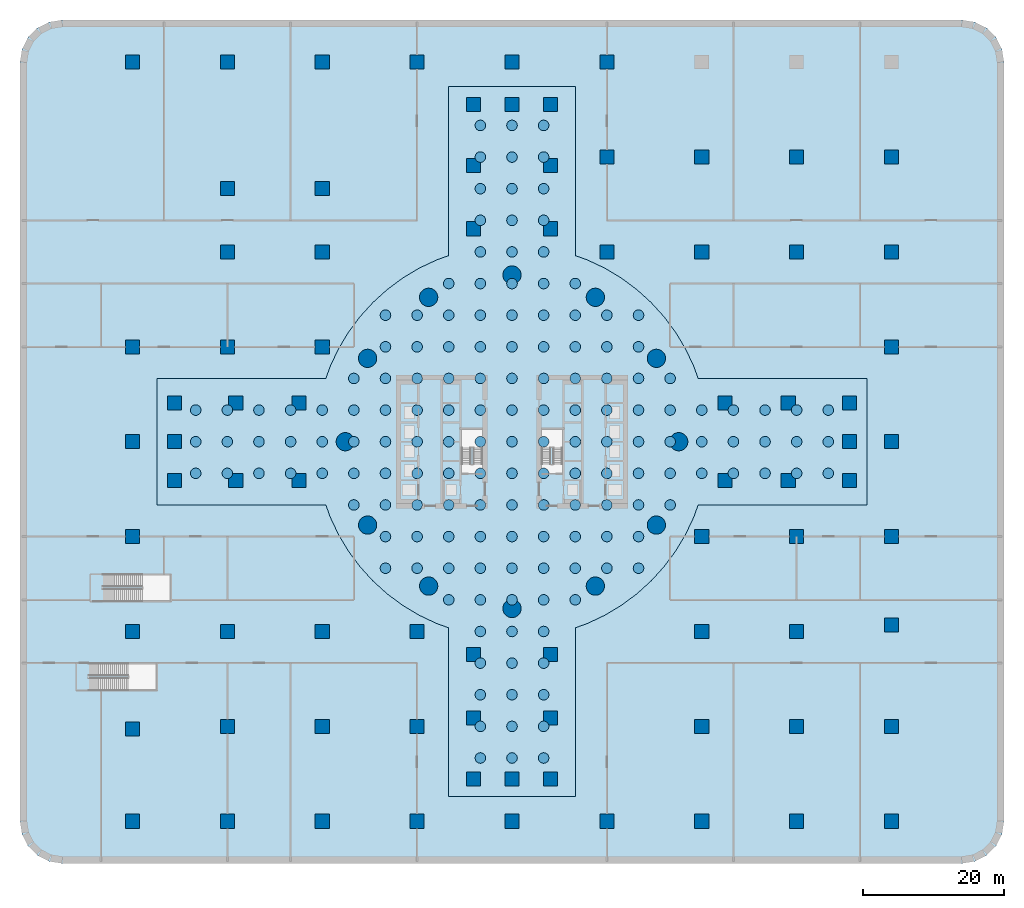
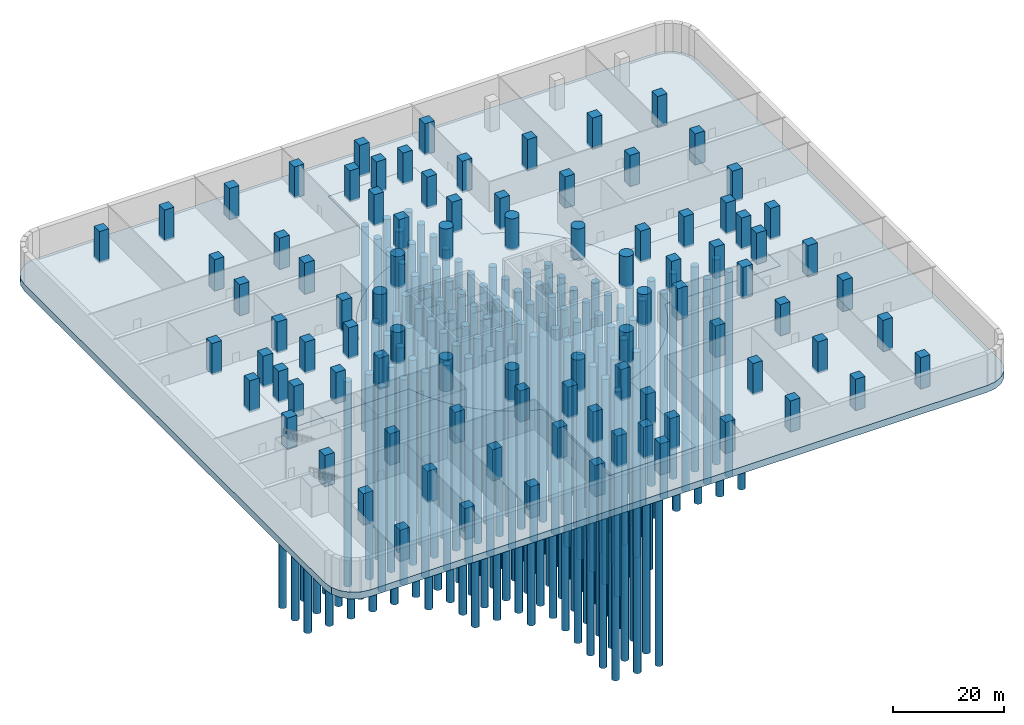
# One storey, part 1 of 13: 161 piles, 91 columns, 2 footings.
"""IFC4 building model written with IfcOpenShell, lengths in metres."""

from ifc_helpers import new_model, si_unit, direction, frame, origin, origin_2d, place, context, subcontext, project, spatial, polyline, rectangle, circle, outline, extrude, material, layer, layer_set, material_profile, profile_set, type_object, element, save


model = new_model("IFC4")

# Units and contexts
model_context = context("Model", 3, precision=1e-05, world=origin(), true_north=direction((0.0, 1.0)))
body_context = subcontext(model_context, "Body", "Model", "MODEL_VIEW")
ifc_project = project(units=[si_unit("LENGTHUNIT", "METRE"), si_unit("AREAUNIT", "SQUARE_METRE"), si_unit("VOLUMEUNIT", "CUBIC_METRE"), si_unit("PLANEANGLEUNIT", "RADIAN"), si_unit("MASSUNIT", "GRAM", prefix="KILO")], contexts=[model_context])

# Site, building, storey
site_placement = place(None, origin())
site = spatial("IfcSite", under=ifc_project, at=site_placement, CompositionType="ELEMENT")
building_placement = place(site_placement, origin())
building = spatial("IfcBuilding", under=site, at=building_placement, Name="Tamarind Cross Interchange Tower", CompositionType="ELEMENT")
storey_placement = place(building_placement, frame((0.0, 0.0, -21.0)))
storey = spatial("IfcBuildingStorey", under=building, at=storey_placement, Name="B3", CompositionType="ELEMENT", Elevation=-21.0)

# Piles
ifc_material_1 = material(Name="Concrete C45", Category="concrete")
ifc_material_profile_1 = material_profile(ifc_material_1, circle(Radius=0.75, at=origin_2d()), Name="RC D1500")
ifc_profile_set_1 = profile_set([ifc_material_profile_1], Name="Concrete C45")
pile_type = type_object("IfcPileType", Name="Bored pile D1500 Concrete C45", PredefinedType="BORED", material=ifc_profile_set_1)
for number, where, z_axis, x_axis, name in (
    (1, (-45.0, -4.5, -4.699951171875), (0.0, 0.0, -1.0), (1.0, 0.0, 0.0), "Pile 1"),
    (2, (-45.0, 0.0, -4.699951171875), (0.0, 0.0, -1.0), (1.0, 0.0, 0.0), "Pile 2"),
    (3, (-45.0, 4.5, -4.699951171875), (0.0, 0.0, -1.0), (1.0, 0.0, 0.0), "Pile 3"),
    (4, (-40.5, -4.5, -4.699951171875), (0.0, 0.0, -1.0), (1.0, 0.0, 0.0), "Pile 4"),
    (5, (-40.5, 0.0, -4.699951171875), (0.0, 0.0, -1.0), (1.0, 0.0, 0.0), "Pile 5"),
    (6, (-40.5, 4.5, -4.699951171875), (0.0, 0.0, -1.0), (1.0, 0.0, 0.0), "Pile 6"),
    (7, (-36.0, -4.5, -4.699951171875), (0.0, 0.0, -1.0), (1.0, 0.0, 0.0), "Pile 7"),
    (8, (-36.0, 0.0, -4.699951171875), (0.0, 0.0, -1.0), (1.0, 0.0, 0.0), "Pile 8"),
    (9, (-36.0, 4.5, -4.699951171875), (0.0, 0.0, -1.0), (1.0, 0.0, 0.0), "Pile 9"),
    (10, (-31.5, -4.5, -4.699951171875), (0.0, 0.0, -1.0), (1.0, 0.0, 0.0), "Pile 10"),
    (11, (-31.5, 0.0, -4.699951171875), (0.0, 0.0, -1.0), (1.0, 0.0, 0.0), "Pile 11"),
    (12, (-31.5, 4.5, -4.699951171875), (0.0, 0.0, -1.0), (1.0, 0.0, 0.0), "Pile 12"),
    (13, (-27.0, -4.5, -4.699951171875), (0.0, 0.0, -1.0), (1.0, 0.0, 0.0), "Pile 13"),
    (14, (-27.0, 0.0, -4.699951171875), (0.0, 0.0, -1.0), (1.0, 0.0, 0.0), "Pile 14"),
    (15, (-27.0, 4.5, -4.699951171875), (0.0, 0.0, -1.0), (1.0, 0.0, 0.0), "Pile 15"),
    (16, (-22.5, -9.0, -4.699951171875), (0.0, 0.0, -1.0), (1.0, 0.0, 0.0), "Pile 16"),
    (17, (-22.5, -4.5, -4.699951171875), (0.0, 0.0, -1.0), (1.0, 0.0, 0.0), "Pile 17"),
    (18, (-22.5, 0.0, -4.699951171875), (0.0, 0.0, -1.0), (1.0, 0.0, 0.0), "Pile 18"),
    (19, (-22.5, 4.5, -4.699951171875), (0.0, 0.0, -1.0), (1.0, 0.0, 0.0), "Pile 19"),
    (20, (-22.5, 9.0, -4.699951171875), (0.0, 0.0, -1.0), (1.0, 0.0, 0.0), "Pile 20"),
    (21, (-18.0, -18.0, -4.699951171875), (0.0, 0.0, -1.0), (1.0, 0.0, 0.0), "Pile 21"),
    (22, (-18.0, -13.5, -4.699951171875), (0.0, 0.0, -1.0), (1.0, 0.0, 0.0), "Pile 22"),
    (23, (-18.0, -9.0, -4.699951171875), (0.0, 0.0, -1.0), (1.0, 0.0, 0.0), "Pile 23"),
    (24, (-18.0, -4.5, -4.699951171875), (0.0, 0.0, -1.0), (1.0, 0.0, 0.0), "Pile 24"),
    (25, (-18.0, 0.0, -4.699951171875), (0.0, 0.0, -1.0), (1.0, 0.0, 0.0), "Pile 25"),
    (26, (-18.0, 4.5, -4.699951171875), (0.0, 0.0, -1.0), (1.0, 0.0, 0.0), "Pile 26"),
    (27, (-18.0, 9.0, -4.699951171875), (0.0, 0.0, -1.0), (1.0, 0.0, 0.0), "Pile 27"),
    (28, (-18.0, 13.5, -4.699951171875), (0.0, 0.0, -1.0), (1.0, 0.0, 0.0), "Pile 28"),
    (29, (-18.0, 18.0, -4.699951171875), (0.0, 0.0, -1.0), (1.0, 0.0, 0.0), "Pile 29"),
    (30, (-13.5, -18.0, -4.699951171875), (0.0, 0.0, -1.0), (1.0, 0.0, 0.0), "Pile 30"),
    (31, (-13.5, -13.5, -4.699951171875), (0.0, 0.0, -1.0), (1.0, 0.0, 0.0), "Pile 31"),
    (32, (-13.5, -9.0, -4.699951171875), (0.0, 0.0, -1.0), (1.0, 0.0, 0.0), "Pile 32"),
    (33, (-13.5, -4.5, -4.699951171875), (0.0, 0.0, -1.0), (1.0, 0.0, 0.0), "Pile 33"),
    (34, (-13.5, 0.0, -4.699951171875), (0.0, 0.0, -1.0), (1.0, 0.0, 0.0), "Pile 34"),
    (35, (-13.5, 4.5, -4.699951171875), (0.0, 0.0, -1.0), (1.0, 0.0, 0.0), "Pile 35"),
    (36, (-13.5, 9.0, -4.699951171875), (0.0, 0.0, -1.0), (1.0, 0.0, 0.0), "Pile 36"),
    (37, (-13.5, 13.5, -4.699951171875), (0.0, 0.0, -1.0), (1.0, 0.0, 0.0), "Pile 37"),
    (38, (-13.5, 18.0, -4.699951171875), (0.0, 0.0, -1.0), (1.0, 0.0, 0.0), "Pile 38"),
    (39, (-9.0, -22.5, -4.699951171875), (0.0, 0.0, -1.0), (1.0, 0.0, 0.0), "Pile 39"),
    (40, (-9.0, -18.0, -4.699951171875), (0.0, 0.0, -1.0), (1.0, 0.0, 0.0), "Pile 40"),
    (41, (-9.0, -13.5, -4.699951171875), (0.0, 0.0, -1.0), (1.0, 0.0, 0.0), "Pile 41"),
    (42, (-9.0, -9.0, -4.699951171875), (0.0, 0.0, -1.0), (1.0, 0.0, 0.0), "Pile 42"),
    (43, (-9.0, -4.5, -4.699951171875), (0.0, 0.0, -1.0), (1.0, 0.0, 0.0), "Pile 43"),
    (44, (-9.0, 0.0, -4.699951171875), (0.0, 0.0, -1.0), (1.0, 0.0, 0.0), "Pile 44"),
    (45, (-9.0, 4.5, -4.699951171875), (0.0, 0.0, -1.0), (1.0, 0.0, 0.0), "Pile 45"),
    (46, (-9.0, 9.0, -4.699951171875), (0.0, 0.0, -1.0), (1.0, 0.0, 0.0), "Pile 46"),
    (47, (-9.0, 13.5, -4.699951171875), (0.0, 0.0, -1.0), (1.0, 0.0, 0.0), "Pile 47"),
    (48, (-9.0, 18.0, -4.699951171875), (0.0, 0.0, -1.0), (1.0, 0.0, 0.0), "Pile 48"),
    (49, (-9.0, 22.5, -4.699951171875), (0.0, 0.0, -1.0), (1.0, 0.0, 0.0), "Pile 49"),
    (50, (-4.5, -45.0, -4.699951171875), (0.0, 0.0, -1.0), (1.0, 0.0, 0.0), "Pile 50"),
    (51, (-4.5, -40.5, -4.699951171875), (0.0, 0.0, -1.0), (1.0, 0.0, 0.0), "Pile 51"),
    (52, (-4.5, -36.0, -4.699951171875), (0.0, 0.0, -1.0), (1.0, 0.0, 0.0), "Pile 52"),
    (53, (-4.5, -31.5, -4.699951171875), (0.0, 0.0, -1.0), (1.0, 0.0, 0.0), "Pile 53"),
    (54, (-4.5, -27.0, -4.699951171875), (0.0, 0.0, -1.0), (1.0, 0.0, 0.0), "Pile 54"),
    (55, (-4.5, -22.5, -4.699951171875), (0.0, 0.0, -1.0), (1.0, 0.0, 0.0), "Pile 55"),
    (56, (-4.5, -18.0, -4.699951171875), (0.0, 0.0, -1.0), (1.0, 0.0, 0.0), "Pile 56"),
    (57, (-4.5, -13.5, -4.699951171875), (0.0, 0.0, -1.0), (1.0, 0.0, 0.0), "Pile 57"),
    (58, (-4.5, -9.0, -4.699951171875), (0.0, 0.0, -1.0), (1.0, 0.0, 0.0), "Pile 58"),
    (59, (-4.5, -4.5, -4.699951171875), (0.0, 0.0, -1.0), (1.0, 0.0, 0.0), "Pile 59"),
    (60, (-4.5, 0.0, -4.699951171875), (0.0, 0.0, -1.0), (1.0, 0.0, 0.0), "Pile 60"),
    (61, (-4.5, 4.5, -4.699951171875), (0.0, 0.0, -1.0), (1.0, 0.0, 0.0), "Pile 61"),
    (62, (-4.5, 9.0, -4.699951171875), (0.0, 0.0, -1.0), (1.0, 0.0, 0.0), "Pile 62"),
    (63, (-4.5, 13.5, -4.699951171875), (0.0, 0.0, -1.0), (1.0, 0.0, 0.0), "Pile 63"),
    (64, (-4.5, 18.0, -4.699951171875), (0.0, 0.0, -1.0), (1.0, 0.0, 0.0), "Pile 64"),
    (65, (-4.5, 22.5, -4.699951171875), (0.0, 0.0, -1.0), (1.0, 0.0, 0.0), "Pile 65"),
    (66, (-4.5, 27.0, -4.699951171875), (0.0, 0.0, -1.0), (1.0, 0.0, 0.0), "Pile 66"),
    (67, (-4.5, 31.5, -4.699951171875), (0.0, 0.0, -1.0), (1.0, 0.0, 0.0), "Pile 67"),
    (68, (-4.5, 36.0, -4.699951171875), (0.0, 0.0, -1.0), (1.0, 0.0, 0.0), "Pile 68"),
    (69, (-4.5, 40.5, -4.699951171875), (0.0, 0.0, -1.0), (1.0, 0.0, 0.0), "Pile 69"),
    (70, (-4.5, 45.0, -4.699951171875), (0.0, 0.0, -1.0), (1.0, 0.0, 0.0), "Pile 70"),
    (71, (0.0, -45.0, -4.699951171875), (0.0, 0.0, -1.0), (1.0, 0.0, 0.0), "Pile 71"),
    (72, (0.0, -40.5, -4.699951171875), (0.0, 0.0, -1.0), (1.0, 0.0, 0.0), "Pile 72"),
    (73, (0.0, -36.0, -4.699951171875), (0.0, 0.0, -1.0), (1.0, 0.0, 0.0), "Pile 73"),
    (74, (0.0, -31.5, -4.699951171875), (0.0, 0.0, -1.0), (1.0, 0.0, 0.0), "Pile 74"),
    (75, (0.0, -27.0, -4.699951171875), (0.0, 0.0, -1.0), (1.0, 0.0, 0.0), "Pile 75"),
    (76, (0.0, -22.5, -4.699951171875), (0.0, 0.0, -1.0), (1.0, 0.0, 0.0), "Pile 76"),
    (77, (0.0, -18.0, -4.699951171875), (0.0, 0.0, -1.0), (1.0, 0.0, 0.0), "Pile 77"),
    (78, (0.0, -13.5, -4.699951171875), (0.0, 0.0, -1.0), (1.0, 0.0, 0.0), "Pile 78"),
    (79, (0.0, -9.0, -4.699951171875), (0.0, 0.0, -1.0), (1.0, 0.0, 0.0), "Pile 79"),
    (80, (0.0, -4.5, -4.699951171875), (0.0, 0.0, -1.0), (1.0, 0.0, 0.0), "Pile 80"),
    (81, (0.0, 0.0, -4.699951171875), (0.0, 0.0, -1.0), (1.0, 0.0, 0.0), "Pile 81"),
    (82, (0.0, 4.5, -4.699951171875), (0.0, 0.0, -1.0), (1.0, 0.0, 0.0), "Pile 82"),
    (83, (0.0, 9.0, -4.699951171875), (0.0, 0.0, -1.0), (1.0, 0.0, 0.0), "Pile 83"),
    (84, (0.0, 13.5, -4.699951171875), (0.0, 0.0, -1.0), (1.0, 0.0, 0.0), "Pile 84"),
    (85, (0.0, 18.0, -4.699951171875), (0.0, 0.0, -1.0), (1.0, 0.0, 0.0), "Pile 85"),
    (86, (0.0, 22.5, -4.699951171875), (0.0, 0.0, -1.0), (1.0, 0.0, 0.0), "Pile 86"),
    (87, (0.0, 27.0, -4.699951171875), (0.0, 0.0, -1.0), (1.0, 0.0, 0.0), "Pile 87"),
    (88, (0.0, 31.5, -4.699951171875), (0.0, 0.0, -1.0), (1.0, 0.0, 0.0), "Pile 88"),
    (89, (0.0, 36.0, -4.699951171875), (0.0, 0.0, -1.0), (1.0, 0.0, 0.0), "Pile 89"),
    (90, (0.0, 40.5, -4.699951171875), (0.0, 0.0, -1.0), (1.0, 0.0, 0.0), "Pile 90"),
    (91, (0.0, 45.0, -4.699951171875), (0.0, 0.0, -1.0), (1.0, 0.0, 0.0), "Pile 91"),
    (92, (4.5, -45.0, -4.699951171875), (0.0, 0.0, -1.0), (1.0, 0.0, 0.0), "Pile 92"),
    (93, (4.5, -40.5, -4.699951171875), (0.0, 0.0, -1.0), (1.0, 0.0, 0.0), "Pile 93"),
    (94, (4.5, -36.0, -4.699951171875), (0.0, 0.0, -1.0), (1.0, 0.0, 0.0), "Pile 94"),
    (95, (4.5, -31.5, -4.699951171875), (0.0, 0.0, -1.0), (1.0, 0.0, 0.0), "Pile 95"),
    (96, (4.5, -27.0, -4.699951171875), (0.0, 0.0, -1.0), (1.0, 0.0, 0.0), "Pile 96"),
    (97, (4.5, -22.5, -4.699951171875), (0.0, 0.0, -1.0), (1.0, 0.0, 0.0), "Pile 97"),
    (98, (4.5, -18.0, -4.699951171875), (0.0, 0.0, -1.0), (1.0, 0.0, 0.0), "Pile 98"),
    (99, (4.5, -13.5, -4.699951171875), (0.0, 0.0, -1.0), (1.0, 0.0, 0.0), "Pile 99"),
    (100, (4.5, -9.0, -4.699951171875), (0.0, 0.0, -1.0), (1.0, 0.0, 0.0), "Pile 100"),
    (101, (4.5, -4.5, -4.699951171875), (0.0, 0.0, -1.0), (1.0, 0.0, 0.0), "Pile 101"),
    (102, (4.5, 0.0, -4.699951171875), (0.0, 0.0, -1.0), (1.0, 0.0, 0.0), "Pile 102"),
    (103, (4.5, 4.5, -4.699951171875), (0.0, 0.0, -1.0), (1.0, 0.0, 0.0), "Pile 103"),
    (104, (4.5, 9.0, -4.699951171875), (0.0, 0.0, -1.0), (1.0, 0.0, 0.0), "Pile 104"),
    (105, (4.5, 13.5, -4.699951171875), (0.0, 0.0, -1.0), (1.0, 0.0, 0.0), "Pile 105"),
    (106, (4.5, 18.0, -4.699951171875), (0.0, 0.0, -1.0), (1.0, 0.0, 0.0), "Pile 106"),
    (107, (4.5, 22.5, -4.699951171875), (0.0, 0.0, -1.0), (1.0, 0.0, 0.0), "Pile 107"),
    (108, (4.5, 27.0, -4.699951171875), (0.0, 0.0, -1.0), (1.0, 0.0, 0.0), "Pile 108"),
    (109, (4.5, 31.5, -4.699951171875), (0.0, 0.0, -1.0), (1.0, 0.0, 0.0), "Pile 109"),
    (110, (4.5, 36.0, -4.699951171875), (0.0, 0.0, -1.0), (1.0, 0.0, 0.0), "Pile 110"),
    (111, (4.5, 40.5, -4.699951171875), (0.0, 0.0, -1.0), (1.0, 0.0, 0.0), "Pile 111"),
    (112, (4.5, 45.0, -4.699951171875), (0.0, 0.0, -1.0), (1.0, 0.0, 0.0), "Pile 112"),
    (113, (9.0, -22.5, -4.699951171875), (0.0, 0.0, -1.0), (1.0, 0.0, 0.0), "Pile 113"),
    (114, (9.0, -18.0, -4.699951171875), (0.0, 0.0, -1.0), (1.0, 0.0, 0.0), "Pile 114"),
    (115, (9.0, -13.5, -4.699951171875), (0.0, 0.0, -1.0), (1.0, 0.0, 0.0), "Pile 115"),
    (116, (9.0, -9.0, -4.699951171875), (0.0, 0.0, -1.0), (1.0, 0.0, 0.0), "Pile 116"),
    (117, (9.0, -4.5, -4.699951171875), (0.0, 0.0, -1.0), (1.0, 0.0, 0.0), "Pile 117"),
    (118, (9.0, 0.0, -4.699951171875), (0.0, 0.0, -1.0), (1.0, 0.0, 0.0), "Pile 118"),
    (119, (9.0, 4.5, -4.699951171875), (0.0, 0.0, -1.0), (1.0, 0.0, 0.0), "Pile 119"),
    (120, (9.0, 9.0, -4.699951171875), (0.0, 0.0, -1.0), (1.0, 0.0, 0.0), "Pile 120"),
    (121, (9.0, 13.5, -4.699951171875), (0.0, 0.0, -1.0), (1.0, 0.0, 0.0), "Pile 121"),
    (122, (9.0, 18.0, -4.699951171875), (0.0, 0.0, -1.0), (1.0, 0.0, 0.0), "Pile 122"),
    (123, (9.0, 22.5, -4.699951171875), (0.0, 0.0, -1.0), (1.0, 0.0, 0.0), "Pile 123"),
    (124, (13.5, -18.0, -4.699951171875), (0.0, 0.0, -1.0), (1.0, 0.0, 0.0), "Pile 124"),
    (125, (13.5, -13.5, -4.699951171875), (0.0, 0.0, -1.0), (1.0, 0.0, 0.0), "Pile 125"),
    (126, (13.5, -9.0, -4.699951171875), (0.0, 0.0, -1.0), (1.0, 0.0, 0.0), "Pile 126"),
    (127, (13.5, -4.5, -4.699951171875), (0.0, 0.0, -1.0), (1.0, 0.0, 0.0), "Pile 127"),
    (128, (13.5, 0.0, -4.699951171875), (0.0, 0.0, -1.0), (1.0, 0.0, 0.0), "Pile 128"),
    (129, (13.5, 4.5, -4.699951171875), (0.0, 0.0, -1.0), (1.0, 0.0, 0.0), "Pile 129"),
    (130, (13.5, 9.0, -4.699951171875), (0.0, 0.0, -1.0), (1.0, 0.0, 0.0), "Pile 130"),
    (131, (13.5, 13.5, -4.699951171875), (0.0, 0.0, -1.0), (1.0, 0.0, 0.0), "Pile 131"),
    (132, (13.5, 18.0, -4.699951171875), (0.0, 0.0, -1.0), (1.0, 0.0, 0.0), "Pile 132"),
    (133, (18.0, -18.0, -4.699951171875), (0.0, 0.0, -1.0), (1.0, 0.0, 0.0), "Pile 133"),
    (134, (18.0, -13.5, -4.699951171875), (0.0, 0.0, -1.0), (1.0, 0.0, 0.0), "Pile 134"),
    (135, (18.0, -9.0, -4.699951171875), (0.0, 0.0, -1.0), (1.0, 0.0, 0.0), "Pile 135"),
    (136, (18.0, -4.5, -4.699951171875), (0.0, 0.0, -1.0), (1.0, 0.0, 0.0), "Pile 136"),
    (137, (18.0, 0.0, -4.699951171875), (0.0, 0.0, -1.0), (1.0, 0.0, 0.0), "Pile 137"),
    (138, (18.0, 4.5, -4.699951171875), (0.0, 0.0, -1.0), (1.0, 0.0, 0.0), "Pile 138"),
    (139, (18.0, 9.0, -4.699951171875), (0.0, 0.0, -1.0), (1.0, 0.0, 0.0), "Pile 139"),
    (140, (18.0, 13.5, -4.699951171875), (0.0, 0.0, -1.0), (1.0, 0.0, 0.0), "Pile 140"),
    (141, (18.0, 18.0, -4.699951171875), (0.0, 0.0, -1.0), (1.0, 0.0, 0.0), "Pile 141"),
    (142, (22.5, -9.0, -4.699951171875), (0.0, 0.0, -1.0), (1.0, 0.0, 0.0), "Pile 142"),
    (143, (22.5, -4.5, -4.699951171875), (0.0, 0.0, -1.0), (1.0, 0.0, 0.0), "Pile 143"),
    (144, (22.5, 0.0, -4.699951171875), (0.0, 0.0, -1.0), (1.0, 0.0, 0.0), "Pile 144"),
    (145, (22.5, 4.5, -4.699951171875), (0.0, 0.0, -1.0), (1.0, 0.0, 0.0), "Pile 145"),
    (146, (22.5, 9.0, -4.699951171875), (0.0, 0.0, -1.0), (1.0, 0.0, 0.0), "Pile 146"),
    (147, (27.0, -4.5, -4.699951171875), (0.0, 0.0, -1.0), (1.0, 0.0, 0.0), "Pile 147"),
    (148, (27.0, 0.0, -4.699951171875), (0.0, 0.0, -1.0), (1.0, 0.0, 0.0), "Pile 148"),
    (149, (27.0, 4.5, -4.699951171875), (0.0, 0.0, -1.0), (1.0, 0.0, 0.0), "Pile 149"),
    (150, (31.5, -4.5, -4.699951171875), (0.0, 0.0, -1.0), (1.0, 0.0, 0.0), "Pile 150"),
    (151, (31.5, 0.0, -4.699951171875), (0.0, 0.0, -1.0), (1.0, 0.0, 0.0), "Pile 151"),
    (152, (31.5, 4.5, -4.699951171875), (0.0, 0.0, -1.0), (1.0, 0.0, 0.0), "Pile 152"),
    (153, (36.0, -4.5, -4.699951171875), (0.0, 0.0, -1.0), (1.0, 0.0, 0.0), "Pile 153"),
    (154, (36.0, 0.0, -4.699951171875), (0.0, 0.0, -1.0), (1.0, 0.0, 0.0), "Pile 154"),
    (155, (36.0, 4.5, -4.699951171875), (0.0, 0.0, -1.0), (1.0, 0.0, 0.0), "Pile 155"),
    (156, (40.5, -4.5, -4.699951171875), (0.0, 0.0, -1.0), (1.0, 0.0, 0.0), "Pile 156"),
    (157, (40.5, 0.0, -4.699951171875), (0.0, 0.0, -1.0), (1.0, 0.0, 0.0), "Pile 157"),
    (158, (40.5, 4.5, -4.699951171875), (0.0, 0.0, -1.0), (1.0, 0.0, 0.0), "Pile 158"),
    (159, (45.0, -4.5, -4.699951171875), (0.0, 0.0, -1.0), (1.0, 0.0, 0.0), "Pile 159"),
    (160, (45.0, 0.0, -4.699951171875), (0.0, 0.0, -1.0), (1.0, 0.0, 0.0), "Pile 160"),
    (161, (45.0, 4.5, -4.699951171875), (0.0, 0.0, -1.0), (1.0, 0.0, 0.0), "Pile 161"),
):
    element("IfcPile", number, at=place(storey_placement, frame(where, z_axis=z_axis, x_axis=x_axis)), inside=storey, type_object=pile_type, Name=name, PredefinedType="BORED", context=body_context, shape_type="SweptSolid", body=[
        extrude(circle(Radius=0.75, at=origin_2d()), origin(), (0.0, 0.0, 1.0), 45.0),
    ])

# Footings
ifc_material_2 = material(Name="Concrete C40", Category="concrete")
ifc_layer_1 = layer(ifc_material_2, 1.5)
ifc_layer_set_1 = layer_set([ifc_layer_1], Name="Concrete C40")
footing_type_1 = type_object("IfcFootingType", Name="Podium raft 1500 Concrete C40", PredefinedType="PAD_FOOTING", material=ifc_layer_set_1)
footing_1_placement = place(storey_placement, frame((0.0, 0.0, -1.800048828125)))
element("IfcFooting", 162, at=footing_1_placement, inside=storey, type_object=footing_type_1, Name="Podium raft 1", PredefinedType="PAD_FOOTING", context=body_context, shape_type="SweptSolid", body=[
    extrude(outline(polyline([(-64.0, -60.0), (64.0, -60.0), (65.85400390625, -59.706298828125), (67.526611328125, -58.85400390625), (68.85400390625, -57.526611328125), (69.706298828125, -55.85400390625), (70.0, -54.0), (70.0, 54.0), (69.706298828125, 55.85400390625), (68.85400390625, 57.526611328125), (67.526611328125, 58.85400390625), (65.85400390625, 59.706298828125), (64.0, 60.0), (-64.0, 60.0), (-65.85400390625, 59.706298828125), (-67.526611328125, 58.85400390625), (-68.85400390625, 57.526611328125), (-69.706298828125, 55.85400390625), (-70.0, 54.0), (-70.0, -54.0), (-69.706298828125, -55.85400390625), (-68.85400390625, -57.526611328125), (-67.526611328125, -58.85400390625), (-65.85400390625, -59.706298828125), (-64.0, -60.0)]), holes=[polyline([(9.0, -26.482421875), (9.0, -50.507568359375), (-9.0, -50.507568359375), (-9.0, -26.482421875), (-10.715087890625, -25.86865234375), (-13.19921875, -24.69384765625), (-15.555908203125, -23.28125), (-17.762939453125, -21.644287109375), (-19.799072265625, -19.799072265625), (-21.644287109375, -17.762939453125), (-23.28125, -15.555908203125), (-24.69384765625, -13.19921875), (-25.86865234375, -10.715087890625), (-26.482421875, -9.0), (-50.507568359375, -9.0), (-50.507568359375, 9.0), (-26.482421875, 9.0), (-25.86865234375, 10.715087890625), (-24.69384765625, 13.19921875), (-23.28125, 15.555908203125), (-21.644287109375, 17.762939453125), (-19.799072265625, 19.799072265625), (-17.762939453125, 21.644287109375), (-15.555908203125, 23.28125), (-13.19921875, 24.69384765625), (-10.715087890625, 25.86865234375), (-9.0, 26.482421875), (-9.0, 50.507568359375), (9.0, 50.507568359375), (9.0, 26.482421875), (10.715087890625, 25.86865234375), (13.19921875, 24.69384765625), (15.555908203125, 23.28125), (17.762939453125, 21.644287109375), (19.799072265625, 19.799072265625), (21.644287109375, 17.762939453125), (23.28125, 15.555908203125), (24.69384765625, 13.19921875), (25.86865234375, 10.715087890625), (26.482421875, 9.0), (50.507568359375, 9.0), (50.507568359375, -9.0), (26.482421875, -9.0), (25.86865234375, -10.715087890625), (24.69384765625, -13.19921875), (23.28125, -15.555908203125), (21.644287109375, -17.762939453125), (19.799072265625, -19.799072265625), (17.762939453125, -21.644287109375), (15.555908203125, -23.28125), (13.19921875, -24.69384765625), (10.715087890625, -25.86865234375), (9.0, -26.482421875)])]), origin(), (0.0, 0.0, 1.0), 1.5),
])
ifc_layer_2 = layer(ifc_material_1, 4.5)
ifc_layer_set_2 = layer_set([ifc_layer_2], Name="Concrete C45")
footing_type_2 = type_object("IfcFootingType", Name="Tower raft 4500 Concrete C45", PredefinedType="PILE_CAP", material=ifc_layer_set_2)
footing_2_placement = place(storey_placement, frame((0.0, 0.0, -4.800048828125)))
element("IfcFooting", 163, at=footing_2_placement, inside=storey, type_object=footing_type_2, Name="Tower raft 1", PredefinedType="PILE_CAP", context=body_context, shape_type="SweptSolid", body=[
    extrude(outline(polyline([(9.0, -50.507568359375), (9.0, -26.482421875), (10.715087890625, -25.86865234375), (13.19921875, -24.69384765625), (15.555908203125, -23.28125), (17.762939453125, -21.644287109375), (19.799072265625, -19.799072265625), (21.644287109375, -17.762939453125), (23.28125, -15.555908203125), (24.69384765625, -13.19921875), (25.86865234375, -10.715087890625), (26.482421875, -9.0), (50.507568359375, -9.0), (50.507568359375, 9.0), (26.482421875, 9.0), (25.86865234375, 10.715087890625), (24.69384765625, 13.19921875), (23.28125, 15.555908203125), (21.644287109375, 17.762939453125), (19.799072265625, 19.799072265625), (17.762939453125, 21.644287109375), (15.555908203125, 23.28125), (13.19921875, 24.69384765625), (10.715087890625, 25.86865234375), (9.0, 26.482421875), (9.0, 50.507568359375), (-9.0, 50.507568359375), (-9.0, 26.482421875), (-10.715087890625, 25.86865234375), (-13.19921875, 24.69384765625), (-15.555908203125, 23.28125), (-17.762939453125, 21.644287109375), (-19.799072265625, 19.799072265625), (-21.644287109375, 17.762939453125), (-23.28125, 15.555908203125), (-24.69384765625, 13.19921875), (-25.86865234375, 10.715087890625), (-26.482421875, 9.0), (-50.507568359375, 9.0), (-50.507568359375, -9.0), (-26.482421875, -9.0), (-25.86865234375, -10.715087890625), (-24.69384765625, -13.19921875), (-23.28125, -15.555908203125), (-21.644287109375, -17.762939453125), (-19.799072265625, -19.799072265625), (-17.762939453125, -21.644287109375), (-15.555908203125, -23.28125), (-13.19921875, -24.69384765625), (-10.715087890625, -25.86865234375), (-9.0, -26.482421875), (-9.0, -50.507568359375), (9.0, -50.507568359375)])), origin(), (0.0, 0.0, 1.0), 4.5),
])

# Columns
ifc_material_3 = material(Name="Concrete C70", Category="concrete")
ifc_material_profile_2 = material_profile(ifc_material_3, rectangle(XDim=2.0, YDim=2.0, at=origin_2d()), Name="RC 2000x2000")
ifc_profile_set_2 = profile_set([ifc_material_profile_2], Name="Concrete C70")
column_type_1 = type_object("IfcColumnType", Name="Column RC 2000x2000 Concrete C70", PredefinedType="COLUMN", material=ifc_profile_set_2)
for number, where, z_axis, x_axis, name in (
    (164, (39.300048828125, 5.5, -0.300048828125), (0.0, 0.0, 1.0), (1.0, 0.0, 0.0), "Column E.ep0"),
    (165, (39.300048828125, -5.5, -0.300048828125), (0.0, 0.0, 1.0), (1.0, 0.0, 0.0), "Column E.em0"),
    (166, (30.300048828125, 5.5, -0.300048828125), (0.0, 0.0, 1.0), (1.0, 0.0, 0.0), "Column E.ep1"),
    (167, (30.300048828125, -5.5, -0.300048828125), (0.0, 0.0, 1.0), (1.0, 0.0, 0.0), "Column E.em1"),
    (168, (48.007568359375, -5.5, -0.300048828125), (0.0, 0.0, 1.0), (1.0, 0.0, 0.0), "Column E.t0"),
    (169, (48.007568359375, 0.0, -0.300048828125), (0.0, 0.0, 1.0), (1.0, 0.0, 0.0), "Column E.t1"),
    (170, (48.007568359375, 5.5, -0.300048828125), (0.0, 0.0, 1.0), (1.0, 0.0, 0.0), "Column E.t2"),
    (171, (-5.5, 39.300048828125, -0.300048828125), (0.0, 0.0, 1.0), (1.0, 0.0, 0.0), "Column N.ep0"),
    (172, (5.5, 39.300048828125, -0.300048828125), (0.0, 0.0, 1.0), (1.0, 0.0, 0.0), "Column N.em0"),
    (173, (-5.5, 30.300048828125, -0.300048828125), (0.0, 0.0, 1.0), (1.0, 0.0, 0.0), "Column N.ep1"),
    (174, (5.5, 30.300048828125, -0.300048828125), (0.0, 0.0, 1.0), (1.0, 0.0, 0.0), "Column N.em1"),
    (175, (5.5, 48.007568359375, -0.300048828125), (0.0, 0.0, 1.0), (1.0, 0.0, 0.0), "Column N.t0"),
    (176, (0.0, 48.007568359375, -0.300048828125), (0.0, 0.0, 1.0), (1.0, 0.0, 0.0), "Column N.t1"),
    (177, (-5.5, 48.007568359375, -0.300048828125), (0.0, 0.0, 1.0), (1.0, 0.0, 0.0), "Column N.t2"),
    (178, (-39.300048828125, -5.5, -0.300048828125), (0.0, 0.0, 1.0), (1.0, 0.0, 0.0), "Column W.ep0"),
    (179, (-39.300048828125, 5.5, -0.300048828125), (0.0, 0.0, 1.0), (1.0, 0.0, 0.0), "Column W.em0"),
    (180, (-30.300048828125, -5.5, -0.300048828125), (0.0, 0.0, 1.0), (1.0, 0.0, 0.0), "Column W.ep1"),
    (181, (-30.300048828125, 5.5, -0.300048828125), (0.0, 0.0, 1.0), (1.0, 0.0, 0.0), "Column W.em1"),
    (182, (-48.007568359375, 5.5, -0.300048828125), (0.0, 0.0, 1.0), (1.0, 0.0, 0.0), "Column W.t0"),
    (183, (-48.007568359375, 0.0, -0.300048828125), (0.0, 0.0, 1.0), (1.0, 0.0, 0.0), "Column W.t1"),
    (184, (-48.007568359375, -5.5, -0.300048828125), (0.0, 0.0, 1.0), (1.0, 0.0, 0.0), "Column W.t2"),
    (185, (5.5, -39.300048828125, -0.300048828125), (0.0, 0.0, 1.0), (1.0, 0.0, 0.0), "Column S.ep0"),
    (186, (-5.5, -39.300048828125, -0.300048828125), (0.0, 0.0, 1.0), (1.0, 0.0, 0.0), "Column S.em0"),
    (187, (5.5, -30.300048828125, -0.300048828125), (0.0, 0.0, 1.0), (1.0, 0.0, 0.0), "Column S.ep1"),
    (188, (-5.5, -30.300048828125, -0.300048828125), (0.0, 0.0, 1.0), (1.0, 0.0, 0.0), "Column S.em1"),
    (189, (-5.5, -48.007568359375, -0.300048828125), (0.0, 0.0, 1.0), (1.0, 0.0, 0.0), "Column S.t0"),
    (190, (0.0, -48.007568359375, -0.300048828125), (0.0, 0.0, 1.0), (1.0, 0.0, 0.0), "Column S.t1"),
    (191, (5.5, -48.007568359375, -0.300048828125), (0.0, 0.0, 1.0), (1.0, 0.0, 0.0), "Column S.t2"),
    (192, (-54.0, -54.0, -0.300048828125), (0.0, 0.0, 1.0), (1.0, 0.0, 0.0), "Column G01"),
    (193, (-54.0, -40.85009765625, -0.300048828125), (0.0, 0.0, 1.0), (1.0, 0.0, 0.0), "Column G02"),
    (194, (-54.0, -27.0, -0.300048828125), (0.0, 0.0, 1.0), (1.0, 0.0, 0.0), "Column G03"),
    (195, (-54.0, -13.5, -0.300048828125), (0.0, 0.0, 1.0), (1.0, 0.0, 0.0), "Column G04"),
    (196, (-54.0, 0.0, -0.300048828125), (0.0, 0.0, 1.0), (1.0, 0.0, 0.0), "Column G05"),
    (197, (-54.0, 13.5, -0.300048828125), (0.0, 0.0, 1.0), (1.0, 0.0, 0.0), "Column G06"),
    (198, (-54.0, 54.0, -0.300048828125), (0.0, 0.0, 1.0), (1.0, 0.0, 0.0), "Column G07"),
    (199, (-40.5, -54.0, -0.300048828125), (0.0, 0.0, 1.0), (1.0, 0.0, 0.0), "Column G08"),
    (200, (-40.5, -40.5, -0.300048828125), (0.0, 0.0, 1.0), (1.0, 0.0, 0.0), "Column G09"),
    (201, (-40.5, -27.0, -0.300048828125), (0.0, 0.0, 1.0), (1.0, 0.0, 0.0), "Column G10"),
    (202, (-40.5, 13.5, -0.300048828125), (0.0, 0.0, 1.0), (1.0, 0.0, 0.0), "Column G11"),
    (203, (-40.5, 27.0, -0.300048828125), (0.0, 0.0, 1.0), (1.0, 0.0, 0.0), "Column G12"),
    (204, (-40.5, 36.0, -0.300048828125), (0.0, 0.0, 1.0), (1.0, 0.0, 0.0), "Column G13"),
    (205, (-40.5, 54.0, -0.300048828125), (0.0, 0.0, 1.0), (1.0, 0.0, 0.0), "Column G14"),
    (206, (-27.0, -54.0, -0.300048828125), (0.0, 0.0, 1.0), (1.0, 0.0, 0.0), "Column G15"),
    (207, (-27.0, -40.5, -0.300048828125), (0.0, 0.0, 1.0), (1.0, 0.0, 0.0), "Column G16"),
    (208, (-27.0, -27.0, -0.300048828125), (0.0, 0.0, 1.0), (1.0, 0.0, 0.0), "Column G17"),
    (209, (-27.0, 13.5, -0.300048828125), (0.0, 0.0, 1.0), (1.0, 0.0, 0.0), "Column G18"),
    (210, (-27.0, 27.0, -0.300048828125), (0.0, 0.0, 1.0), (1.0, 0.0, 0.0), "Column G19"),
    (211, (-27.0, 36.0, -0.300048828125), (0.0, 0.0, 1.0), (1.0, 0.0, 0.0), "Column G20"),
    (212, (-27.0, 54.0, -0.300048828125), (0.0, 0.0, 1.0), (1.0, 0.0, 0.0), "Column G21"),
    (213, (-13.5, -54.0, -0.300048828125), (0.0, 0.0, 1.0), (1.0, 0.0, 0.0), "Column G22"),
    (214, (-13.5, -40.5, -0.300048828125), (0.0, 0.0, 1.0), (1.0, 0.0, 0.0), "Column G23"),
    (215, (-13.5, -27.0, -0.300048828125), (0.0, 0.0, 1.0), (1.0, 0.0, 0.0), "Column G24"),
    (216, (-13.5, 54.0, -0.300048828125), (0.0, 0.0, 1.0), (1.0, 0.0, 0.0), "Column G25"),
    (217, (0.0, -54.0, -0.300048828125), (0.0, 0.0, 1.0), (1.0, 0.0, 0.0), "Column G26"),
    (218, (0.0, 54.0, -0.300048828125), (0.0, 0.0, 1.0), (1.0, 0.0, 0.0), "Column G27"),
    (219, (13.5, -54.0, -0.300048828125), (0.0, 0.0, 1.0), (1.0, 0.0, 0.0), "Column G28"),
    (220, (13.5, 27.0, -0.300048828125), (0.0, 0.0, 1.0), (1.0, 0.0, 0.0), "Column G29"),
    (221, (13.5, 40.5, -0.300048828125), (0.0, 0.0, 1.0), (1.0, 0.0, 0.0), "Column G30"),
    (222, (13.5, 54.0, -0.300048828125), (0.0, 0.0, 1.0), (1.0, 0.0, 0.0), "Column G31"),
    (223, (27.0, -54.0, -0.300048828125), (0.0, 0.0, 1.0), (1.0, 0.0, 0.0), "Column G32"),
    (224, (27.0, -40.5, -0.300048828125), (0.0, 0.0, 1.0), (1.0, 0.0, 0.0), "Column G33"),
    (225, (27.0, -27.0, -0.300048828125), (0.0, 0.0, 1.0), (1.0, 0.0, 0.0), "Column G34"),
    (226, (27.0, -13.5, -0.300048828125), (0.0, 0.0, 1.0), (1.0, 0.0, 0.0), "Column G35"),
    (227, (27.0, 27.0, -0.300048828125), (0.0, 0.0, 1.0), (1.0, 0.0, 0.0), "Column G36"),
    (228, (27.0, 40.5, -0.300048828125), (0.0, 0.0, 1.0), (1.0, 0.0, 0.0), "Column G37"),
    (229, (40.5, -54.0, -0.300048828125), (0.0, 0.0, 1.0), (1.0, 0.0, 0.0), "Column G39"),
    (230, (40.5, -40.5, -0.300048828125), (0.0, 0.0, 1.0), (1.0, 0.0, 0.0), "Column G40"),
    (231, (40.5, -27.0, -0.300048828125), (0.0, 0.0, 1.0), (1.0, 0.0, 0.0), "Column G41"),
    (232, (40.5, -13.5, -0.300048828125), (0.0, 0.0, 1.0), (1.0, 0.0, 0.0), "Column G42"),
    (233, (40.5, 27.0, -0.300048828125), (0.0, 0.0, 1.0), (1.0, 0.0, 0.0), "Column G43"),
    (234, (40.5, 40.5, -0.300048828125), (0.0, 0.0, 1.0), (1.0, 0.0, 0.0), "Column G44"),
    (235, (54.0, -54.0, -0.300048828125), (0.0, 0.0, 1.0), (1.0, 0.0, 0.0), "Column G46"),
    (236, (54.0, -40.5, -0.300048828125), (0.0, 0.0, 1.0), (1.0, 0.0, 0.0), "Column G47"),
    (237, (54.0, -26.050048828125, -0.300048828125), (0.0, 0.0, 1.0), (1.0, 0.0, 0.0), "Column G48"),
    (238, (54.0, -13.5, -0.300048828125), (0.0, 0.0, 1.0), (1.0, 0.0, 0.0), "Column G49"),
    (239, (54.0, 0.0, -0.300048828125), (0.0, 0.0, 1.0), (1.0, 0.0, 0.0), "Column G50"),
    (240, (54.0, 13.5, -0.300048828125), (0.0, 0.0, 1.0), (1.0, 0.0, 0.0), "Column G51"),
    (241, (54.0, 27.0, -0.300048828125), (0.0, 0.0, 1.0), (1.0, 0.0, 0.0), "Column G52"),
    (242, (54.0, 40.5, -0.300048828125), (0.0, 0.0, 1.0), (1.0, 0.0, 0.0), "Column G53"),
):
    element("IfcColumn", number, at=place(storey_placement, frame(where, z_axis=z_axis, x_axis=x_axis)), inside=storey, type_object=column_type_1, Name=name, PredefinedType="COLUMN", context=body_context, shape_type="SweptSolid", body=[
        extrude(rectangle(XDim=2.0, YDim=2.0, at=origin_2d()), origin(), (0.0, 0.0, 1.0), 6.85009765625),
    ])
ifc_material_4 = material(Name="Concrete C80", Category="concrete")
ifc_material_profile_3 = material_profile(ifc_material_4, circle(Radius=1.300048828125, at=origin_2d()), Name="RC D2600")
ifc_profile_set_3 = profile_set([ifc_material_profile_3], Name="Concrete C80")
column_type_2 = type_object("IfcColumnType", Name="Column RC D2600 Concrete C80", PredefinedType="COLUMN", material=ifc_profile_set_3)
for number, where, z_axis, x_axis, name in (
    (243, (23.720703125, 0.0, -0.300048828125), (0.0, 0.0, 1.0), (1.0, 0.0, 0.0), "Ring column R01"),
    (244, (20.542724609375, 11.8603515625, -0.300048828125), (0.0, 0.0, 1.0), (1.0, 0.0, 0.0), "Ring column R02"),
    (245, (11.8603515625, 20.542724609375, -0.300048828125), (0.0, 0.0, 1.0), (1.0, 0.0, 0.0), "Ring column R03"),
    (246, (0.0, 23.720703125, -0.300048828125), (0.0, 0.0, 1.0), (1.0, 0.0, 0.0), "Ring column R04"),
    (247, (-11.8603515625, 20.542724609375, -0.300048828125), (0.0, 0.0, 1.0), (1.0, 0.0, 0.0), "Ring column R05"),
    (248, (-20.542724609375, 11.8603515625, -0.300048828125), (0.0, 0.0, 1.0), (1.0, 0.0, 0.0), "Ring column R06"),
    (249, (-23.720703125, 0.0, -0.300048828125), (0.0, 0.0, 1.0), (1.0, 0.0, 0.0), "Ring column R07"),
    (250, (-20.542724609375, -11.8603515625, -0.300048828125), (0.0, 0.0, 1.0), (1.0, 0.0, 0.0), "Ring column R08"),
    (251, (-11.8603515625, -20.542724609375, -0.300048828125), (0.0, 0.0, 1.0), (1.0, 0.0, 0.0), "Ring column R09"),
    (252, (0.0, -23.720703125, -0.300048828125), (0.0, 0.0, 1.0), (1.0, 0.0, 0.0), "Ring column R10"),
    (253, (11.8603515625, -20.542724609375, -0.300048828125), (0.0, 0.0, 1.0), (1.0, 0.0, 0.0), "Ring column R11"),
    (254, (20.542724609375, -11.8603515625, -0.300048828125), (0.0, 0.0, 1.0), (1.0, 0.0, 0.0), "Ring column R12"),
):
    element("IfcColumn", number, at=place(storey_placement, frame(where, z_axis=z_axis, x_axis=x_axis)), inside=storey, type_object=column_type_2, Name=name, PredefinedType="COLUMN", context=body_context, shape_type="SweptSolid", body=[
        extrude(circle(Radius=1.300048828125, at=origin_2d()), origin(), (0.0, 0.0, 1.0), 6.85009765625),
    ])

save(model, "model.ifc")
